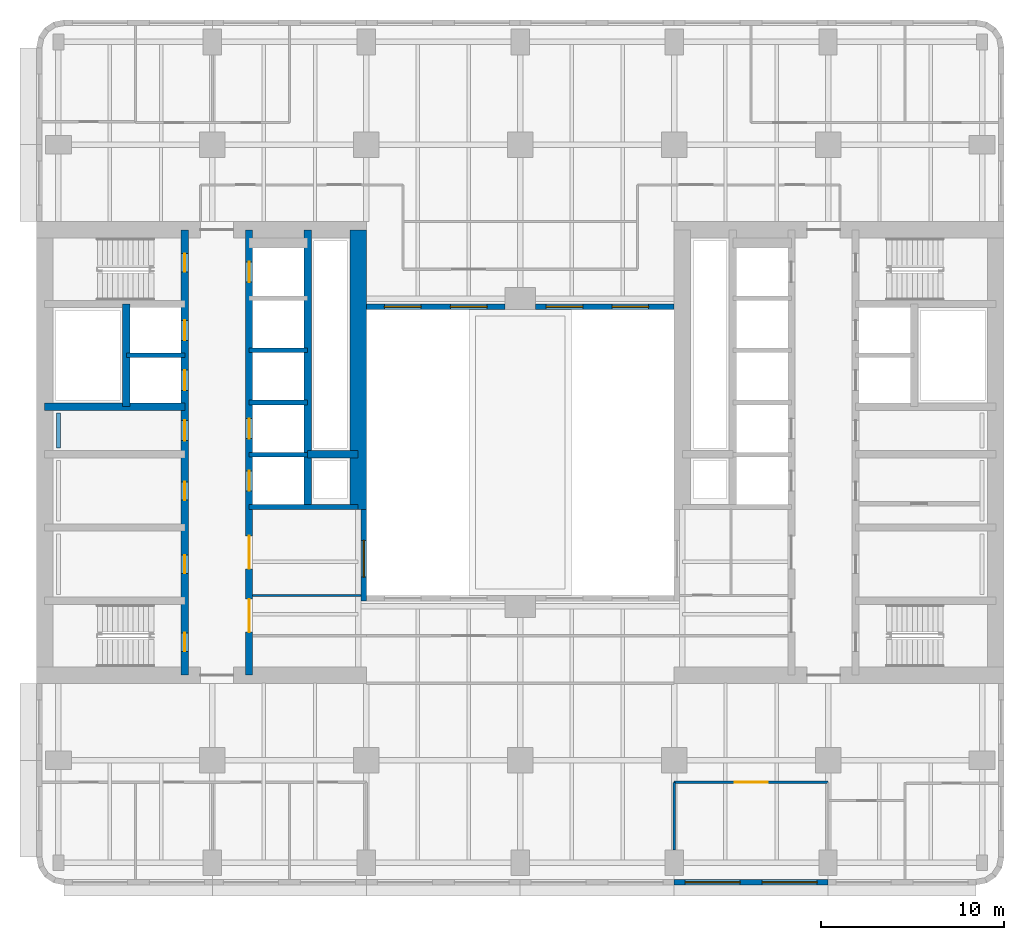
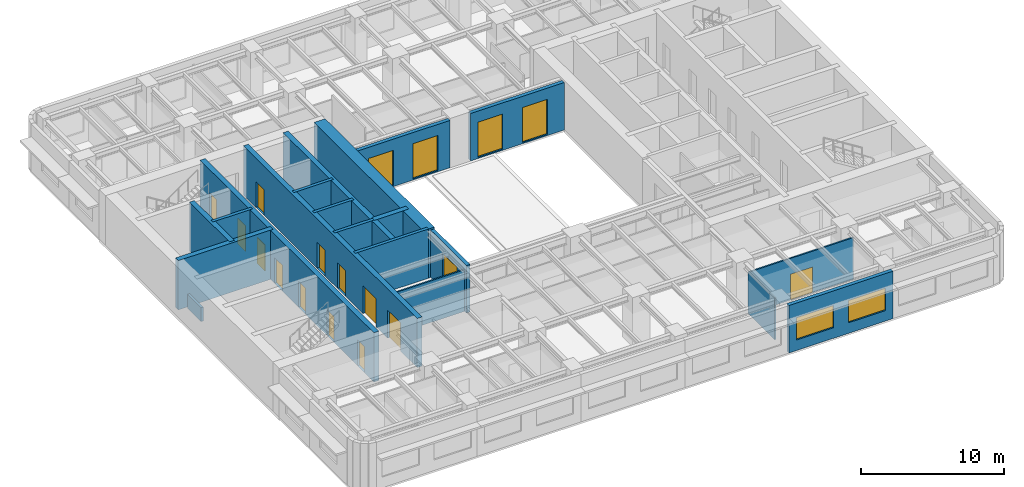
# One storey, part 4 of 14: 20 walls, 13 doors, 7 windows, 20 openings.
"""IFC4 building model written with IfcOpenShell, lengths in metres."""

import ifcopenshell
import ifcopenshell.guid

model = None  # the IFC model being written
_history = None  # IfcOwnerHistory: only IFC2X3 demands one
_inside = {}  # id of a spatial element -> (the spatial element, [elements in it])
_under = {}  # id of a project, library or spatial element -> (it, [spatial elements below it])
_declared = {}  # id of a project -> (the project, [libraries it declares])
_typed = {}  # id of a type object -> (the type object, [elements of that type])
_made_of = {}  # id of a material, layer set ... -> (it, [elements and type objects made of it])


def new_model(schema):
    """Start an empty IFC model of exactly this schema.

    Asked for "IFC4X3", IfcOpenShell would pick the latest addendum, in which some entities
    have other attributes; the version numbers below select the first issue.
    IFC2X3 requires an IfcOwnerHistory on every rooted entity: one is made here for all.
    """
    global model, _history
    if schema == "IFC4X3":
        model = ifcopenshell.file(schema_version=(4, 3, 0, 0))
    else:
        model = ifcopenshell.file(schema=schema)
    _inside.clear()
    _under.clear()
    _declared.clear()
    _typed.clear()
    _made_of.clear()
    _history = None
    if model.schema == "IFC2X3":
        org = make("IfcOrganization", Name="unknown")
        user = make(
            "IfcPersonAndOrganization",
            ThePerson=make("IfcPerson", FamilyName="unknown"),
            TheOrganization=org,
        )
        app = make(
            "IfcApplication",
            ApplicationDeveloper=org,
            Version="unknown",
            ApplicationFullName="unknown",
            ApplicationIdentifier="unknown",
        )
        _history = make(
            "IfcOwnerHistory",
            OwningUser=user,
            OwningApplication=app,
            ChangeAction="ADDED",
            CreationDate=0,
        )
    return model


def make(cls, **values):
    """One entity of the class cls with the attributes given. An attribute that is None is left unset."""
    return model.create_entity(
        cls, **{name: value for name, value in values.items() if value is not None}
    )


def rooted(cls, **values):
    """An entity with a GlobalId (a new one), such as an element, a storey or a relation."""
    return make(cls, GlobalId=ifcopenshell.guid.new(), OwnerHistory=_history, **values)


def si_unit(unit_type, name, prefix=None):
    """IfcSIUnit, for example si_unit("LENGTHUNIT", "METRE", prefix="MILLI")."""
    return make("IfcSIUnit", UnitType=unit_type, Prefix=prefix, Name=name)


def assignment(units):
    """IfcUnitAssignment: the units of a project."""
    return None if units is None else make("IfcUnitAssignment", Units=units)


def point(xyz):
    """IfcCartesianPoint."""
    return None if xyz is None else make("IfcCartesianPoint", Coordinates=xyz)


def direction(xyz):
    """IfcDirection."""
    return None if xyz is None else make("IfcDirection", DirectionRatios=xyz)


def frame(location, z_axis=None, x_axis=None):
    """IfcAxis2Placement3D, a coordinate frame: its origin and axes. An axis left out is left unset."""
    return make(
        "IfcAxis2Placement3D",
        Location=point(location),
        Axis=direction(z_axis),
        RefDirection=direction(x_axis),
    )


def frame_2d(location, x_axis=None):
    """IfcAxis2Placement2D, a coordinate frame in the plane: its origin and x axis."""
    return make(
        "IfcAxis2Placement2D", Location=point(location), RefDirection=direction(x_axis)
    )


def origin():
    """The frame at (0, 0, 0) with its axes left unset."""
    return frame((0.0, 0.0, 0.0))


def place(relative_to, where):
    """IfcLocalPlacement: puts the frame where relative to a parent placement (None: the world)."""
    return make(
        "IfcLocalPlacement", PlacementRelTo=relative_to, RelativePlacement=where
    )


def context(
    kind, dimensions, precision=None, world=None, true_north=None, identifier=None
):
    """IfcGeometricRepresentationContext, for example the 3D "Model" context."""
    return make(
        "IfcGeometricRepresentationContext",
        ContextIdentifier=identifier,
        ContextType=kind,
        CoordinateSpaceDimension=dimensions,
        Precision=precision,
        WorldCoordinateSystem=world,
        TrueNorth=true_north,
    )


def subcontext(parent, identifier, kind, view, scale=None):
    """IfcGeometricRepresentationSubContext, for example "Body" below "Model"."""
    return make(
        "IfcGeometricRepresentationSubContext",
        ContextIdentifier=identifier,
        ContextType=kind,
        ParentContext=parent,
        TargetScale=scale,
        TargetView=view,
    )


def project(units=None, contexts=None):
    """IfcProject with its units and contexts."""
    return rooted(
        "IfcProject",
        Name="project",
        RepresentationContexts=contexts,
        UnitsInContext=assignment(units),
    )


def spatial(cls, under=None, at=None, **own):
    """A site, building, storey or space (cls), placed at a placement, below another one or the project."""
    s = rooted(cls, ObjectPlacement=at, **own)
    if under is not None:
        _under.setdefault(under.id(), (under, []))[1].append(s)
    return s


def profile(cls, at=None, kind="AREA", **sizes):
    """A parametric profile (cls). Its sizes go by their IFC names, for example OverallWidth=200.0."""
    return make(cls, ProfileType=kind, Position=at, **sizes)


def rectangle(**sizes):
    """IfcRectangleProfileDef."""
    return profile("IfcRectangleProfileDef", **sizes)


def extrude(swept, where, along, depth):
    """IfcExtrudedAreaSolid: the profile swept, set in the frame where, extruded along a direction by depth."""
    return make(
        "IfcExtrudedAreaSolid",
        SweptArea=swept,
        Position=where,
        ExtrudedDirection=direction(along),
        Depth=depth,
    )


def shape(context_of_items, identifier, shape_type, items):
    """IfcShapeRepresentation: the items that make up one representation, for example the "Body"."""
    return make(
        "IfcShapeRepresentation",
        ContextOfItems=context_of_items,
        RepresentationIdentifier=identifier,
        RepresentationType=shape_type,
        Items=items,
    )


def material(Name=None, Category=None):
    """IfcMaterial."""
    return make("IfcMaterial", Name=Name, Category=Category)


def layer(
    of_material, thickness, ventilated=None, Name=None, Category=None, Priority=None
):
    """IfcMaterialLayer: one layer of a wall or slab, of a material (None: an air gap)."""
    return make(
        "IfcMaterialLayer",
        Material=of_material,
        LayerThickness=thickness,
        IsVentilated=ventilated,
        Name=Name,
        Category=Category,
        Priority=Priority,
    )


def layer_set(layers, Name=None):
    """IfcMaterialLayerSet."""
    return make("IfcMaterialLayerSet", MaterialLayers=layers, LayerSetName=Name)


def made_of(thing, what):
    """Note that an element or type object is made of a material, layer set ...; save() writes the relation."""
    if what is not None:
        _made_of.setdefault(what.id(), (what, []))[1].append(thing)
    return thing


def type_object(cls, material=None, **own):
    """A type object (cls), such as IfcWallType, which elements share."""
    return made_of(rooted(cls, **own), material)


def element(
    cls,
    number,
    at=None,
    inside=None,
    cuts=None,
    type_object=None,
    material=None,
    context=None,
    identifier="Body",
    shape_type=None,
    held_by="IfcProductDefinitionShape",
    body=None,
    shapes=None,
    **own,
):
    """One element of the class cls, such as IfcWall. Its Tag is "e" and its number.

    at: its placement. inside: the storey or other place that contains it. cuts: it is an
    opening in that element (IfcRelVoidsElement). A single representation is given by context,
    identifier, shape_type and body (its items); several are given by shapes. held_by: the class
    of the entity that holds the representations. save() writes the other relations.
    """
    e = rooted(cls, Tag="e%d" % number, ObjectPlacement=at, **own)
    if body is not None:
        shapes = [shape(context, identifier, shape_type, body)]
    if shapes is not None:
        e.Representation = make(held_by, Representations=shapes)
    if inside is not None:
        _inside.setdefault(inside.id(), (inside, []))[1].append(e)
    if cuts is not None:
        rooted(
            "IfcRelVoidsElement", RelatingBuildingElement=cuts, RelatedOpeningElement=e
        )
    if type_object is not None:
        _typed.setdefault(type_object.id(), (type_object, []))[1].append(e)
    return made_of(e, material)


def fill(opening, filler):
    """IfcRelFillsElement: the door or window that sits in an opening."""
    return rooted(
        "IfcRelFillsElement",
        RelatingOpeningElement=opening,
        RelatedBuildingElement=filler,
    )


def aggregate(whole, parts):
    """IfcRelAggregates: a whole, such as a stair, and the parts it consists of."""
    return rooted("IfcRelAggregates", RelatingObject=whole, RelatedObjects=parts)


def save(model, path):
    """Write the relations noted so far, then the file.

    IfcRelAggregates (storeys below a building ...), IfcRelContainedInSpatialStructure (elements
    in a storey), IfcRelDefinesByType, IfcRelAssociatesMaterial and IfcRelDeclares: one each for
    every whole, place, type object, material and project.
    """
    for whole, parts in _under.values():
        aggregate(whole, parts)
    for where, things in _inside.values():
        rooted(
            "IfcRelContainedInSpatialStructure",
            RelatedElements=things,
            RelatingStructure=where,
        )
    for kind, things in _typed.values():
        rooted("IfcRelDefinesByType", RelatedObjects=things, RelatingType=kind)
    for what, things in _made_of.values():
        rooted("IfcRelAssociatesMaterial", RelatedObjects=things, RelatingMaterial=what)
    for by, libraries in _declared.values():
        rooted("IfcRelDeclares", RelatingContext=by, RelatedDefinitions=libraries)
    model.write(path)


model = new_model("IFC4")

# Units and contexts
model_context = context("Model", 3, precision=1e-05, world=origin(), true_north=direction((0.0, 1.0)))
body_context = subcontext(model_context, "Body", "Model", "MODEL_VIEW")
ifc_project = project(units=[si_unit("LENGTHUNIT", "METRE"), si_unit("AREAUNIT", "SQUARE_METRE"), si_unit("VOLUMEUNIT", "CUBIC_METRE"), si_unit("PLANEANGLEUNIT", "RADIAN"), si_unit("MASSUNIT", "GRAM", prefix="KILO")], contexts=[model_context])

# Site, building, storey
site_placement = place(None, origin())
site = spatial("IfcSite", under=ifc_project, at=site_placement, CompositionType="ELEMENT")
building_placement = place(site_placement, origin())
building = spatial("IfcBuilding", under=site, at=building_placement, Name="Claustro Exchange Tower", CompositionType="ELEMENT")
storey_placement = place(building_placement, frame((0.0, 0.0, 100.800048828125)))
storey = spatial("IfcBuildingStorey", under=building, at=storey_placement, Name="L22", CompositionType="ELEMENT", Elevation=100.800048828125)

# Wall
ifc_material_1 = material(Name="Laminated glass in aluminium frame", Category="aluminium")
ifc_layer_1 = layer(ifc_material_1, 0.1201171875)
ifc_layer_set_1 = layer_set([ifc_layer_1], Name="Laminated glass in aluminium frame")
wall_type_1 = type_object("IfcWallType", Name="P2 120 glazed partition", PredefinedType="PARTITIONING", material=ifc_layer_set_1)
wall_1_placement = place(storey_placement, frame((10.597900390625, 17.39990234375, 0.0), z_axis=(0.0, 0.0, 1.0), x_axis=(1.0, 0.0, 0.0)))
element("IfcWall", 1, at=wall_1_placement, inside=storey, type_object=wall_type_1, Name="Partition P2 L22", PredefinedType="PARTITIONING", context=body_context, shape_type="SweptSolid", body=[
    extrude(rectangle(XDim=5.904052734375, YDim=0.1201171875, at=frame_2d((2.9521484375, 0.0))), origin(), (0.0, 0.0, 1.0), 3.550048828125),
])

# Wall, opening, door
wall_2_placement = place(storey_placement, frame((33.60009765625, 7.199951171875, 0.0), z_axis=(0.0, 0.0, 1.0), x_axis=(1.0, 0.0, 0.0)))
wall_2 = element("IfcWall", 2, at=wall_2_placement, inside=storey, type_object=wall_type_1, Name="Partition P2 L22", PredefinedType="PARTITIONING", context=body_context, shape_type="SweptSolid", body=[
    extrude(rectangle(XDim=8.39990234375, YDim=0.1201171875, at=frame_2d((4.199951171875, 0.0))), origin(), (0.0, 0.0, 1.0), 3.550048828125),
])
opening_1_placement = place(wall_2_placement, frame((3.300048828125, 0.0, 0.0)))
opening_1 = element("IfcOpeningElement", 3, at=opening_1_placement, cuts=wall_2, Name="Opening D2", PredefinedType="OPENING", context=body_context, shape_type="SweptSolid", body=[
    extrude(rectangle(XDim=1.800048828125, YDim=2.199951171875, at=frame_2d((0.89990234375, 1.10009765625))), frame((0.0, 0.070068359375, 0.0), z_axis=(0.0, -1.0, 0.0), x_axis=(1.0, 0.0, 0.0)), (0.0, 0.0, 1.0), 0.14013671875),
])
ifc_material_2 = material(Name="Timber door, oak veneer", Category="wood")
door_type_1 = type_object("IfcDoorType", Name="D2 1800 x 2200 double door", OperationType="DOUBLE_DOOR_SINGLE_SWING", PredefinedType="DOOR", material=ifc_material_2)
door_1_placement = place(opening_1_placement, frame((1.800048828125, 0.0, 0.0), z_axis=(0.0, 0.0, 1.0), x_axis=(-1.0, 0.0, 0.0)))
door_1 = element("IfcDoor", 4, at=door_1_placement, inside=storey, type_object=door_type_1, Name="Double door D2 L22", OperationType="DOUBLE_DOOR_SINGLE_SWING", OverallHeight=2.199951171875, OverallWidth=1.800048828125, PredefinedType="DOOR", context=body_context, shape_type="SweptSolid", body=[
    extrude(rectangle(XDim=1.800048828125, YDim=2.199951171875, at=frame_2d((0.89990234375, 1.10009765625))), frame((0.0, 0.02490234375, 0.0), z_axis=(0.0, -1.0, 0.0), x_axis=(1.0, 0.0, 0.0)), (0.0, 0.0, 1.0), 0.050048828125),
])
fill(opening_1, door_1)

# Wall
wall_3_placement = place(storey_placement, frame((33.60009765625, 3.4990234375, 0.0), z_axis=(0.0, 0.0, 1.0), x_axis=(0.0, 1.0, 0.0)))
element("IfcWall", 5, at=wall_3_placement, inside=storey, type_object=wall_type_1, Name="Partition P2 L22", PredefinedType="PARTITIONING", context=body_context, shape_type="SweptSolid", body=[
    extrude(rectangle(XDim=3.700927734375, YDim=0.1201171875, at=frame_2d((1.8505859375, 0.0))), origin(), (0.0, 0.0, 1.0), 3.550048828125),
])

# Wall, openings, windows
ifc_material_3 = material(Name="Concrete HA-40 (C40/50), precast, white cement, acid-etched", Category="concrete")
ifc_layer_2 = layer(ifc_material_3, 0.300048828125)
ifc_layer_set_2 = layer_set([ifc_layer_2], Name="Concrete HA-40 (C40/50), precast, white cement, acid-etched")
wall_type_2 = type_object("IfcWallType", Name="PC1 300 precast concrete pier panel", PredefinedType="SOLIDWALL", material=ifc_layer_set_2)
wall_4_placement = place(storey_placement, frame((42.0, 1.75, 0.0), z_axis=(0.0, 0.0, 1.0), x_axis=(-1.0, 0.0, 0.0)))
wall_4 = element("IfcWall", 6, at=wall_4_placement, inside=storey, type_object=wall_type_2, Name="Precast pier panel PC1 L22", PredefinedType="SOLIDWALL", context=body_context, shape_type="SweptSolid", body=[
    extrude(rectangle(XDim=8.39990234375, YDim=0.300048828125, at=frame_2d((4.199951171875, 0.0))), origin(), (0.0, 0.0, 1.0), 4.050048828125),
])
opening_2_placement = place(wall_4_placement, frame((0.60009765625, 0.0, 0.89990234375)))
opening_2 = element("IfcOpeningElement", 7, at=opening_2_placement, cuts=wall_4, Name="Opening W1", PredefinedType="OPENING", context=body_context, shape_type="SweptSolid", body=[
    extrude(rectangle(XDim=3.0, YDim=1.89990234375, at=frame_2d((1.5, 0.949951171875))), frame((0.0, 0.159912109375, 0.0), z_axis=(0.0, -1.0, 0.0), x_axis=(1.0, 0.0, 0.0)), (0.0, 0.0, 1.0), 0.320068359375),
])
opening_3_placement = place(wall_4_placement, frame((4.800048828125, 0.0, 0.89990234375)))
opening_3 = element("IfcOpeningElement", 8, at=opening_3_placement, cuts=wall_4, Name="Opening W1", PredefinedType="OPENING", context=body_context, shape_type="SweptSolid", body=[
    extrude(rectangle(XDim=3.0, YDim=1.89990234375, at=frame_2d((1.5, 0.949951171875))), frame((0.0, 0.159912109375, 0.0), z_axis=(0.0, -1.0, 0.0), x_axis=(1.0, 0.0, 0.0)), (0.0, 0.0, 1.0), 0.320068359375),
])
ifc_material_4 = material(Name="Aluminium frame, clear double glazing", Category="aluminium")
window_type_1 = type_object("IfcWindowType", Name="W1 3000 x 1900 window", PartitioningType="SINGLE_PANEL", PredefinedType="WINDOW", material=ifc_material_4)
window_1_placement = place(opening_2_placement, origin())
window_1 = element("IfcWindow", 9, at=window_1_placement, inside=storey, type_object=window_type_1, Name="Window W1 L22", OverallHeight=1.89990234375, OverallWidth=3.0, PartitioningType="SINGLE_PANEL", PredefinedType="WINDOW", context=body_context, shape_type="SweptSolid", body=[
    extrude(rectangle(XDim=3.0, YDim=1.89990234375, at=frame_2d((1.5, 0.949951171875))), frame((0.0, 0.030029296875, 0.0), z_axis=(0.0, -1.0, 0.0), x_axis=(1.0, 0.0, 0.0)), (0.0, 0.0, 1.0), 0.06005859375),
])
fill(opening_2, window_1)
window_2_placement = place(opening_3_placement, origin())
window_2 = element("IfcWindow", 10, at=window_2_placement, inside=storey, type_object=window_type_1, Name="Window W1 L22", OverallHeight=1.89990234375, OverallWidth=3.0, PartitioningType="SINGLE_PANEL", PredefinedType="WINDOW", context=body_context, shape_type="SweptSolid", body=[
    extrude(rectangle(XDim=3.0, YDim=1.89990234375, at=frame_2d((1.5, 0.949951171875))), frame((0.0, 0.030029296875, 0.0), z_axis=(0.0, -1.0, 0.0), x_axis=(1.0, 0.0, 0.0)), (0.0, 0.0, 1.0), 0.06005859375),
])
fill(opening_3, window_2)

# Wall, opening, window
wall_5_placement = place(storey_placement, frame((16.64990234375, 17.10009765625, 0.0), z_axis=(0.0, 0.0, 1.0), x_axis=(0.0, 1.0, 0.0)))
wall_5 = element("IfcWall", 11, at=wall_5_placement, inside=storey, type_object=wall_type_2, Name="Precast pier panel PC1 L22", PredefinedType="SOLIDWALL", context=body_context, shape_type="SweptSolid", body=[
    extrude(rectangle(XDim=5.0, YDim=0.300048828125, at=frame_2d((2.5, 0.0))), origin(), (0.0, 0.0, 1.0), 4.050048828125),
])
opening_4_placement = place(wall_5_placement, frame((1.300048828125, 0.0, 0.10009765625)))
opening_4 = element("IfcOpeningElement", 12, at=opening_4_placement, cuts=wall_5, Name="Opening W-A", PredefinedType="OPENING", context=body_context, shape_type="SweptSolid", body=[
    extrude(rectangle(XDim=2.0, YDim=3.0, at=frame_2d((1.0, 1.5))), frame((0.0, 0.159912109375, 0.0), z_axis=(0.0, -1.0, 0.0), x_axis=(1.0, 0.0, 0.0)), (0.0, 0.0, 1.0), 0.320068359375),
])
ifc_material_5 = material(Name="Aluminium frame, clear double glazing", Category="aluminium")
window_type_2 = type_object("IfcWindowType", Name="W-A 2000 x 3000 arcade window", PartitioningType="SINGLE_PANEL", PredefinedType="WINDOW", material=ifc_material_5)
window_3_placement = place(opening_4_placement, origin())
window_3 = element("IfcWindow", 13, at=window_3_placement, inside=storey, type_object=window_type_2, Name="Window W-A L22", OverallHeight=3.0, OverallWidth=2.0, PartitioningType="SINGLE_PANEL", PredefinedType="WINDOW", context=body_context, shape_type="SweptSolid", body=[
    extrude(rectangle(XDim=2.0, YDim=3.0, at=frame_2d((1.0, 1.5))), frame((0.0, 0.030029296875, 0.0), z_axis=(0.0, -1.0, 0.0), x_axis=(1.0, 0.0, 0.0)), (0.0, 0.0, 1.0), 0.06005859375),
])
fill(opening_4, window_3)

# Wall, openings, windows
wall_6_placement = place(storey_placement, frame((16.800048828125, 33.14990234375, 0.0), z_axis=(0.0, 0.0, 1.0), x_axis=(1.0, 0.0, 0.0)))
wall_6 = element("IfcWall", 14, at=wall_6_placement, inside=storey, type_object=wall_type_2, Name="Precast pier panel PC1 L22", PredefinedType="SOLIDWALL", context=body_context, shape_type="SweptSolid", body=[
    extrude(rectangle(XDim=7.574951171875, YDim=0.300048828125, at=frame_2d((3.78759765625, 0.0))), origin(), (0.0, 0.0, 1.0), 4.050048828125),
])
opening_5_placement = place(wall_6_placement, frame((0.987548828125, 0.0, 0.10009765625)))
opening_5 = element("IfcOpeningElement", 15, at=opening_5_placement, cuts=wall_6, Name="Opening W-A", PredefinedType="OPENING", context=body_context, shape_type="SweptSolid", body=[
    extrude(rectangle(XDim=2.0, YDim=3.0, at=frame_2d((1.0, 1.5))), frame((0.0, 0.159912109375, 0.0), z_axis=(0.0, -1.0, 0.0), x_axis=(1.0, 0.0, 0.0)), (0.0, 0.0, 1.0), 0.320068359375),
])
opening_6_placement = place(wall_6_placement, frame((4.58740234375, 0.0, 0.10009765625)))
opening_6 = element("IfcOpeningElement", 16, at=opening_6_placement, cuts=wall_6, Name="Opening W-A", PredefinedType="OPENING", context=body_context, shape_type="SweptSolid", body=[
    extrude(rectangle(XDim=2.0, YDim=3.0, at=frame_2d((1.0, 1.5))), frame((0.0, 0.159912109375, 0.0), z_axis=(0.0, -1.0, 0.0), x_axis=(1.0, 0.0, 0.0)), (0.0, 0.0, 1.0), 0.320068359375),
])
window_4_placement = place(opening_5_placement, origin())
window_4 = element("IfcWindow", 17, at=window_4_placement, inside=storey, type_object=window_type_2, Name="Window W-A L22", OverallHeight=3.0, OverallWidth=2.0, PartitioningType="SINGLE_PANEL", PredefinedType="WINDOW", context=body_context, shape_type="SweptSolid", body=[
    extrude(rectangle(XDim=2.0, YDim=3.0, at=frame_2d((1.0, 1.5))), frame((0.0, 0.030029296875, 0.0), z_axis=(0.0, -1.0, 0.0), x_axis=(1.0, 0.0, 0.0)), (0.0, 0.0, 1.0), 0.06005859375),
])
fill(opening_5, window_4)
window_5_placement = place(opening_6_placement, origin())
window_5 = element("IfcWindow", 18, at=window_5_placement, inside=storey, type_object=window_type_2, Name="Window W-A L22", OverallHeight=3.0, OverallWidth=2.0, PartitioningType="SINGLE_PANEL", PredefinedType="WINDOW", context=body_context, shape_type="SweptSolid", body=[
    extrude(rectangle(XDim=2.0, YDim=3.0, at=frame_2d((1.0, 1.5))), frame((0.0, 0.030029296875, 0.0), z_axis=(0.0, -1.0, 0.0), x_axis=(1.0, 0.0, 0.0)), (0.0, 0.0, 1.0), 0.06005859375),
])
fill(opening_6, window_5)

wall_7_placement = place(storey_placement, frame((26.02490234375, 33.14990234375, 0.0), z_axis=(0.0, 0.0, 1.0), x_axis=(1.0, 0.0, 0.0)))
wall_7 = element("IfcWall", 19, at=wall_7_placement, inside=storey, type_object=wall_type_2, Name="Precast pier panel PC1 L22", PredefinedType="SOLIDWALL", context=body_context, shape_type="SweptSolid", body=[
    extrude(rectangle(XDim=7.5751953125, YDim=0.300048828125, at=frame_2d((3.78759765625, 0.0))), origin(), (0.0, 0.0, 1.0), 4.050048828125),
])
opening_7_placement = place(wall_7_placement, frame((0.58740234375, 0.0, 0.10009765625)))
opening_7 = element("IfcOpeningElement", 20, at=opening_7_placement, cuts=wall_7, Name="Opening W-A", PredefinedType="OPENING", context=body_context, shape_type="SweptSolid", body=[
    extrude(rectangle(XDim=2.0, YDim=3.0, at=frame_2d((1.0, 1.5))), frame((0.0, 0.159912109375, 0.0), z_axis=(0.0, -1.0, 0.0), x_axis=(1.0, 0.0, 0.0)), (0.0, 0.0, 1.0), 0.320068359375),
])
opening_8_placement = place(wall_7_placement, frame((4.1875, 0.0, 0.10009765625)))
opening_8 = element("IfcOpeningElement", 21, at=opening_8_placement, cuts=wall_7, Name="Opening W-A", PredefinedType="OPENING", context=body_context, shape_type="SweptSolid", body=[
    extrude(rectangle(XDim=2.0, YDim=3.0, at=frame_2d((1.0, 1.5))), frame((0.0, 0.159912109375, 0.0), z_axis=(0.0, -1.0, 0.0), x_axis=(1.0, 0.0, 0.0)), (0.0, 0.0, 1.0), 0.320068359375),
])
window_6_placement = place(opening_7_placement, origin())
window_6 = element("IfcWindow", 22, at=window_6_placement, inside=storey, type_object=window_type_2, Name="Window W-A L22", OverallHeight=3.0, OverallWidth=2.0, PartitioningType="SINGLE_PANEL", PredefinedType="WINDOW", context=body_context, shape_type="SweptSolid", body=[
    extrude(rectangle(XDim=2.0, YDim=3.0, at=frame_2d((1.0, 1.5))), frame((0.0, 0.030029296875, 0.0), z_axis=(0.0, -1.0, 0.0), x_axis=(1.0, 0.0, 0.0)), (0.0, 0.0, 1.0), 0.06005859375),
])
fill(opening_7, window_6)
window_7_placement = place(opening_8_placement, origin())
window_7 = element("IfcWindow", 23, at=window_7_placement, inside=storey, type_object=window_type_2, Name="Window W-A L22", OverallHeight=3.0, OverallWidth=2.0, PartitioningType="SINGLE_PANEL", PredefinedType="WINDOW", context=body_context, shape_type="SweptSolid", body=[
    extrude(rectangle(XDim=2.0, YDim=3.0, at=frame_2d((1.0, 1.5))), frame((0.0, 0.030029296875, 0.0), z_axis=(0.0, -1.0, 0.0), x_axis=(1.0, 0.0, 0.0)), (0.0, 0.0, 1.0), 0.06005859375),
])
fill(opening_8, window_7)

# Walls
ifc_material_6 = material(Name="Gypsum board on steel studs, tiled", Category="steel")
ifc_layer_3 = layer(ifc_material_6, 0.199951171875)
ifc_layer_set_3 = layer_set([ifc_layer_3], Name="Gypsum board on steel studs, tiled")
wall_type_3 = type_object("IfcWallType", Name="PW1 200 WC duct wall", PredefinedType="PLUMBINGWALL", material=ifc_layer_set_3)
wall_8_placement = place(storey_placement, frame((0.0, 25.449951171875, 0.0), z_axis=(0.0, 0.0, 1.0), x_axis=(0.0, 1.0, 0.0)))
element("IfcWall", 24, at=wall_8_placement, inside=storey, type_object=wall_type_3, Name="WC duct wall PW1 L22", PredefinedType="PLUMBINGWALL", context=body_context, shape_type="SweptSolid", body=[
    extrude(rectangle(XDim=1.900146484375, YDim=0.199951171875, at=frame_2d((0.9501953125, 0.0))), origin(), (0.0, 0.0, 1.0), 1.199951171875),
])
ifc_material_7 = material(Name="Concrete HA-70 (C70/85)", Category="concrete")
ifc_layer_4 = layer(ifc_material_7, 0.89990234375)
ifc_layer_set_4 = layer_set([ifc_layer_4], Name="Concrete HA-70 (C70/85)")
wall_type_4 = type_object("IfcWallType", Name="SW1X 900 exposed core shear wall, board-marked face", PredefinedType="SHEAR", material=ifc_layer_set_4)
wall_9_placement = place(storey_placement, frame((16.35009765625, 22.10009765625, 0.0), z_axis=(0.0, 0.0, 1.0), x_axis=(0.0, 1.0, 0.0)))
element("IfcWall", 25, at=wall_9_placement, inside=storey, type_object=wall_type_4, Name="Core wall SW1X W core E face L22", PredefinedType="SHEAR", context=body_context, shape_type="SweptSolid", body=[
    extrude(rectangle(XDim=15.25, YDim=0.89990234375, at=frame_2d((7.625, 0.0))), origin(), (0.0, 0.0, 1.0), 4.199951171875),
])

# Wall, openings, doors
ifc_material_8 = material(Name="Concrete HA-50 (C50/60)", Category="concrete")
ifc_layer_5 = layer(ifc_material_8, 0.39990234375)
ifc_layer_set_5 = layer_set([ifc_layer_5], Name="Concrete HA-50 (C50/60)")
wall_type_5 = type_object("IfcWallType", Name="SW4 400 internal core wall", PredefinedType="SHEAR", material=ifc_layer_set_5)
wall_10_placement = place(storey_placement, frame((6.89990234375, 13.050048828125, 0.0), z_axis=(0.0, 0.0, 1.0), x_axis=(0.0, 1.0, 0.0)))
wall_10 = element("IfcWall", 26, at=wall_10_placement, inside=storey, type_object=wall_type_5, Name="Internal core wall SW4 W core L22", PredefinedType="SHEAR", context=body_context, shape_type="SweptSolid", body=[
    extrude(rectangle(XDim=24.300048828125, YDim=0.39990234375, at=frame_2d((12.14990234375, 0.0))), origin(), (0.0, 0.0, 1.0), 4.199951171875),
])
opening_9_placement = place(wall_10_placement, frame((1.300048828125, 0.0, 0.0)))
opening_9 = element("IfcOpeningElement", 27, at=opening_9_placement, cuts=wall_10, Name="Opening D4", PredefinedType="OPENING", context=body_context, shape_type="SweptSolid", body=[
    extrude(rectangle(XDim=1.0, YDim=2.199951171875, at=frame_2d((0.5, 1.10009765625))), frame((0.0, 0.2099609375, 0.0), z_axis=(0.0, -1.0, 0.0), x_axis=(1.0, 0.0, 0.0)), (0.0, 0.0, 1.0), 0.419921875),
])
opening_10_placement = place(wall_10_placement, frame((22.0, 0.0, 0.0)))
opening_10 = element("IfcOpeningElement", 28, at=opening_10_placement, cuts=wall_10, Name="Opening D4", PredefinedType="OPENING", context=body_context, shape_type="SweptSolid", body=[
    extrude(rectangle(XDim=1.0, YDim=2.199951171875, at=frame_2d((0.5, 1.10009765625))), frame((0.0, 0.2099609375, 0.0), z_axis=(0.0, -1.0, 0.0), x_axis=(1.0, 0.0, 0.0)), (0.0, 0.0, 1.0), 0.419921875),
])
opening_11_placement = place(wall_10_placement, frame((5.550048828125, 0.0, 0.0)))
opening_11 = element("IfcOpeningElement", 29, at=opening_11_placement, cuts=wall_10, Name="Opening D1", PredefinedType="OPENING", context=body_context, shape_type="SweptSolid", body=[
    extrude(rectangle(XDim=1.0, YDim=2.199951171875, at=frame_2d((0.5, 1.10009765625))), frame((0.0, 0.2099609375, 0.0), z_axis=(0.0, -1.0, 0.0), x_axis=(1.0, 0.0, 0.0)), (0.0, 0.0, 1.0), 0.419921875),
])
opening_12_placement = place(wall_10_placement, frame((9.550048828125, 0.0, 0.0)))
opening_12 = element("IfcOpeningElement", 30, at=opening_12_placement, cuts=wall_10, Name="Opening D1", PredefinedType="OPENING", context=body_context, shape_type="SweptSolid", body=[
    extrude(rectangle(XDim=1.0, YDim=2.199951171875, at=frame_2d((0.5, 1.10009765625))), frame((0.0, 0.2099609375, 0.0), z_axis=(0.0, -1.0, 0.0), x_axis=(1.0, 0.0, 0.0)), (0.0, 0.0, 1.0), 0.419921875),
])
opening_13_placement = place(wall_10_placement, frame((12.800048828125, 0.0, 0.0)))
opening_13 = element("IfcOpeningElement", 31, at=opening_13_placement, cuts=wall_10, Name="Opening D10", PredefinedType="OPENING", context=body_context, shape_type="SweptSolid", body=[
    extrude(rectangle(XDim=1.10009765625, YDim=2.199951171875, at=frame_2d((0.550048828125, 1.10009765625))), frame((0.0, 0.2099609375, 0.0), z_axis=(0.0, -1.0, 0.0), x_axis=(1.0, 0.0, 0.0)), (0.0, 0.0, 1.0), 0.419921875),
])
opening_14_placement = place(wall_10_placement, frame((15.53759765625, 0.0, 0.0)))
opening_14 = element("IfcOpeningElement", 32, at=opening_14_placement, cuts=wall_10, Name="Opening LD", PredefinedType="OPENING", context=body_context, shape_type="SweptSolid", body=[
    extrude(rectangle(XDim=1.10009765625, YDim=2.199951171875, at=frame_2d((0.550048828125, 1.10009765625))), frame((0.0, 0.2099609375, 0.0), z_axis=(0.0, -1.0, 0.0), x_axis=(1.0, 0.0, 0.0)), (0.0, 0.0, 1.0), 0.419921875),
])
opening_15_placement = place(wall_10_placement, frame((18.262451171875, 0.0, 0.0)))
opening_15 = element("IfcOpeningElement", 33, at=opening_15_placement, cuts=wall_10, Name="Opening LD", PredefinedType="OPENING", context=body_context, shape_type="SweptSolid", body=[
    extrude(rectangle(XDim=1.10009765625, YDim=2.199951171875, at=frame_2d((0.550048828125, 1.10009765625))), frame((0.0, 0.2099609375, 0.0), z_axis=(0.0, -1.0, 0.0), x_axis=(1.0, 0.0, 0.0)), (0.0, 0.0, 1.0), 0.419921875),
])
ifc_material_9 = material(Name="Timber door, oak veneer", Category="wood")
door_type_2 = type_object("IfcDoorType", Name="D1 1000 x 2200 single door", OperationType="SINGLE_SWING_LEFT", PredefinedType="DOOR", material=ifc_material_9)
door_2_placement = place(opening_11_placement, origin())
door_2 = element("IfcDoor", 34, at=door_2_placement, inside=storey, type_object=door_type_2, Name="Door D1 L22", OperationType="SINGLE_SWING_RIGHT", OverallHeight=2.199951171875, OverallWidth=1.0, PredefinedType="DOOR", context=body_context, shape_type="SweptSolid", body=[
    extrude(rectangle(XDim=1.0, YDim=2.199951171875, at=frame_2d((0.5, 1.10009765625))), frame((0.0, 0.02490234375, 0.0), z_axis=(0.0, -1.0, 0.0), x_axis=(1.0, 0.0, 0.0)), (0.0, 0.0, 1.0), 0.050048828125),
])
fill(opening_11, door_2)
door_3_placement = place(opening_12_placement, origin())
door_3 = element("IfcDoor", 35, at=door_3_placement, inside=storey, type_object=door_type_2, Name="Door D1 L22", OperationType="SINGLE_SWING_RIGHT", OverallHeight=2.199951171875, OverallWidth=1.0, PredefinedType="DOOR", context=body_context, shape_type="SweptSolid", body=[
    extrude(rectangle(XDim=1.0, YDim=2.199951171875, at=frame_2d((0.5, 1.10009765625))), frame((0.0, 0.02490234375, 0.0), z_axis=(0.0, -1.0, 0.0), x_axis=(1.0, 0.0, 0.0)), (0.0, 0.0, 1.0), 0.050048828125),
])
fill(opening_12, door_3)
ifc_material_10 = material(Name="Timber door, oak veneer", Category="wood")
door_type_3 = type_object("IfcDoorType", Name="D10 1100 x 2200 accessible WC door", OperationType="SINGLE_SWING_LEFT", PredefinedType="DOOR", material=ifc_material_10)
door_4_placement = place(opening_13_placement, frame((1.10009765625, 0.0, 0.0), z_axis=(0.0, 0.0, 1.0), x_axis=(-1.0, 0.0, 0.0)))
door_4 = element("IfcDoor", 36, at=door_4_placement, inside=storey, type_object=door_type_3, Name="Accessible WC door D10 L22", OperationType="SINGLE_SWING_LEFT", OverallHeight=2.199951171875, OverallWidth=1.10009765625, PredefinedType="DOOR", context=body_context, shape_type="SweptSolid", body=[
    extrude(rectangle(XDim=1.10009765625, YDim=2.199951171875, at=frame_2d((0.550048828125, 1.10009765625))), frame((0.0, 0.02490234375, 0.0), z_axis=(0.0, -1.0, 0.0), x_axis=(1.0, 0.0, 0.0)), (0.0, 0.0, 1.0), 0.050048828125),
])
fill(opening_13, door_4)
ifc_material_11 = material(Name="Steel fire door, painted", Category="steel")
door_type_4 = type_object("IfcDoorType", Name="D4 1000 x 2200 fire-rated stair door", OperationType="SINGLE_SWING_LEFT", PredefinedType="DOOR", material=ifc_material_11)
door_5_placement = place(opening_9_placement, origin())
door_5 = element("IfcDoor", 37, at=door_5_placement, inside=storey, type_object=door_type_4, Name="Stair door D4 L22", OperationType="SINGLE_SWING_LEFT", OverallHeight=2.199951171875, OverallWidth=1.0, PredefinedType="DOOR", context=body_context, shape_type="SweptSolid", body=[
    extrude(rectangle(XDim=1.0, YDim=2.199951171875, at=frame_2d((0.5, 1.10009765625))), frame((0.0, 0.02490234375, 0.0), z_axis=(0.0, -1.0, 0.0), x_axis=(1.0, 0.0, 0.0)), (0.0, 0.0, 1.0), 0.050048828125),
])
fill(opening_9, door_5)
door_6_placement = place(opening_10_placement, origin())
door_6 = element("IfcDoor", 38, at=door_6_placement, inside=storey, type_object=door_type_4, Name="Stair door D4 L22", OperationType="SINGLE_SWING_RIGHT", OverallHeight=2.199951171875, OverallWidth=1.0, PredefinedType="DOOR", context=body_context, shape_type="SweptSolid", body=[
    extrude(rectangle(XDim=1.0, YDim=2.199951171875, at=frame_2d((0.5, 1.10009765625))), frame((0.0, 0.02490234375, 0.0), z_axis=(0.0, -1.0, 0.0), x_axis=(1.0, 0.0, 0.0)), (0.0, 0.0, 1.0), 0.050048828125),
])
fill(opening_10, door_6)
ifc_material_12 = material(Name="Stainless steel sliding door", Category="steel")
door_type_5 = type_object("IfcDoorType", Name="LD 1100 x 2200 lift landing door", OperationType="DOUBLE_DOOR_SLIDING", PredefinedType="DOOR", material=ifc_material_12)
door_7_placement = place(opening_14_placement, origin())
door_7 = element("IfcDoor", 39, at=door_7_placement, inside=storey, type_object=door_type_5, Name="Lift landing door LEW1 LD L22", OperationType="DOUBLE_DOOR_SLIDING", OverallHeight=2.199951171875, OverallWidth=1.10009765625, PredefinedType="DOOR", context=body_context, shape_type="SweptSolid", body=[
    extrude(rectangle(XDim=1.10009765625, YDim=2.199951171875, at=frame_2d((0.550048828125, 1.10009765625))), frame((0.0, 0.02490234375, 0.0), z_axis=(0.0, -1.0, 0.0), x_axis=(1.0, 0.0, 0.0)), (0.0, 0.0, 1.0), 0.050048828125),
])
fill(opening_14, door_7)
door_8_placement = place(opening_15_placement, origin())
door_8 = element("IfcDoor", 40, at=door_8_placement, inside=storey, type_object=door_type_5, Name="Lift landing door LEW2 LD L22", OperationType="DOUBLE_DOOR_SLIDING", OverallHeight=2.199951171875, OverallWidth=1.10009765625, PredefinedType="DOOR", context=body_context, shape_type="SweptSolid", body=[
    extrude(rectangle(XDim=1.10009765625, YDim=2.199951171875, at=frame_2d((0.550048828125, 1.10009765625))), frame((0.0, 0.02490234375, 0.0), z_axis=(0.0, -1.0, 0.0), x_axis=(1.0, 0.0, 0.0)), (0.0, 0.0, 1.0), 0.050048828125),
])
fill(opening_15, door_8)

wall_11_placement = place(storey_placement, frame((10.39990234375, 13.050048828125, 0.0), z_axis=(0.0, 0.0, 1.0), x_axis=(0.0, 1.0, 0.0)))
wall_11 = element("IfcWall", 41, at=wall_11_placement, inside=storey, type_object=wall_type_5, Name="Internal core wall SW4 W core L22", PredefinedType="SHEAR", context=body_context, shape_type="SweptSolid", body=[
    extrude(rectangle(XDim=24.300048828125, YDim=0.39990234375, at=frame_2d((12.14990234375, 0.0))), origin(), (0.0, 0.0, 1.0), 4.199951171875),
])
opening_16_placement = place(wall_11_placement, frame((10.050048828125, 0.0, 0.0)))
opening_16 = element("IfcOpeningElement", 42, at=opening_16_placement, cuts=wall_11, Name="Opening LD", PredefinedType="OPENING", context=body_context, shape_type="SweptSolid", body=[
    extrude(rectangle(XDim=1.10009765625, YDim=2.199951171875, at=frame_2d((0.550048828125, 1.10009765625))), frame((0.0, 0.2099609375, 0.0), z_axis=(0.0, -1.0, 0.0), x_axis=(1.0, 0.0, 0.0)), (0.0, 0.0, 1.0), 0.419921875),
])
opening_17_placement = place(wall_11_placement, frame((12.89990234375, 0.0, 0.0)))
opening_17 = element("IfcOpeningElement", 43, at=opening_17_placement, cuts=wall_11, Name="Opening LD", PredefinedType="OPENING", context=body_context, shape_type="SweptSolid", body=[
    extrude(rectangle(XDim=1.10009765625, YDim=2.199951171875, at=frame_2d((0.550048828125, 1.10009765625))), frame((0.0, 0.2099609375, 0.0), z_axis=(0.0, -1.0, 0.0), x_axis=(1.0, 0.0, 0.0)), (0.0, 0.0, 1.0), 0.419921875),
])
opening_18_placement = place(wall_11_placement, frame((21.449951171875, 0.0, 0.0)))
opening_18 = element("IfcOpeningElement", 44, at=opening_18_placement, cuts=wall_11, Name="Opening LD", PredefinedType="OPENING", context=body_context, shape_type="SweptSolid", body=[
    extrude(rectangle(XDim=1.10009765625, YDim=2.199951171875, at=frame_2d((0.550048828125, 1.10009765625))), frame((0.0, 0.2099609375, 0.0), z_axis=(0.0, -1.0, 0.0), x_axis=(1.0, 0.0, 0.0)), (0.0, 0.0, 1.0), 0.419921875),
])
opening_19_placement = place(wall_11_placement, frame((2.35009765625, 0.0, 0.0)))
opening_19 = element("IfcOpeningElement", 45, at=opening_19_placement, cuts=wall_11, Name="Opening D3", PredefinedType="OPENING", context=body_context, shape_type="SweptSolid", body=[
    extrude(rectangle(XDim=1.800048828125, YDim=2.39990234375, at=frame_2d((0.89990234375, 1.199951171875))), frame((0.0, 0.2099609375, 0.0), z_axis=(0.0, -1.0, 0.0), x_axis=(1.0, 0.0, 0.0)), (0.0, 0.0, 1.0), 0.419921875),
])
opening_20_placement = place(wall_11_placement, frame((5.800048828125, 0.0, 0.0)))
opening_20 = element("IfcOpeningElement", 46, at=opening_20_placement, cuts=wall_11, Name="Opening D3", PredefinedType="OPENING", context=body_context, shape_type="SweptSolid", body=[
    extrude(rectangle(XDim=1.800048828125, YDim=2.39990234375, at=frame_2d((0.89990234375, 1.199951171875))), frame((0.0, 0.2099609375, 0.0), z_axis=(0.0, -1.0, 0.0), x_axis=(1.0, 0.0, 0.0)), (0.0, 0.0, 1.0), 0.419921875),
])
ifc_material_13 = material(Name="Steel fire door, painted", Category="steel")
door_type_6 = type_object("IfcDoorType", Name="D3 1800 x 2400 fire-rated lobby double door", OperationType="DOUBLE_DOOR_SINGLE_SWING", PredefinedType="DOOR", material=ifc_material_13)
door_9_placement = place(opening_19_placement, origin())
door_9 = element("IfcDoor", 47, at=door_9_placement, inside=storey, type_object=door_type_6, Name="Core zone door D3 L22", OperationType="DOUBLE_DOOR_SINGLE_SWING", OverallHeight=2.39990234375, OverallWidth=1.800048828125, PredefinedType="DOOR", context=body_context, shape_type="SweptSolid", body=[
    extrude(rectangle(XDim=1.800048828125, YDim=2.39990234375, at=frame_2d((0.89990234375, 1.199951171875))), frame((0.0, 0.02490234375, 0.0), z_axis=(0.0, -1.0, 0.0), x_axis=(1.0, 0.0, 0.0)), (0.0, 0.0, 1.0), 0.050048828125),
])
fill(opening_19, door_9)
door_10_placement = place(opening_20_placement, frame((1.800048828125, 0.0, 0.0), z_axis=(0.0, 0.0, 1.0), x_axis=(-1.0, 0.0, 0.0)))
door_10 = element("IfcDoor", 48, at=door_10_placement, inside=storey, type_object=door_type_6, Name="Core zone door D3 L22", OperationType="DOUBLE_DOOR_SINGLE_SWING", OverallHeight=2.39990234375, OverallWidth=1.800048828125, PredefinedType="DOOR", context=body_context, shape_type="SweptSolid", body=[
    extrude(rectangle(XDim=1.800048828125, YDim=2.39990234375, at=frame_2d((0.89990234375, 1.199951171875))), frame((0.0, 0.02490234375, 0.0), z_axis=(0.0, -1.0, 0.0), x_axis=(1.0, 0.0, 0.0)), (0.0, 0.0, 1.0), 0.050048828125),
])
fill(opening_20, door_10)
door_11_placement = place(opening_16_placement, origin())
door_11 = element("IfcDoor", 49, at=door_11_placement, inside=storey, type_object=door_type_5, Name="Lift landing door LMW1 LD L22", OperationType="DOUBLE_DOOR_SLIDING", OverallHeight=2.199951171875, OverallWidth=1.10009765625, PredefinedType="DOOR", context=body_context, shape_type="SweptSolid", body=[
    extrude(rectangle(XDim=1.10009765625, YDim=2.199951171875, at=frame_2d((0.550048828125, 1.10009765625))), frame((0.0, 0.02490234375, 0.0), z_axis=(0.0, -1.0, 0.0), x_axis=(1.0, 0.0, 0.0)), (0.0, 0.0, 1.0), 0.050048828125),
])
fill(opening_16, door_11)
door_12_placement = place(opening_17_placement, origin())
door_12 = element("IfcDoor", 50, at=door_12_placement, inside=storey, type_object=door_type_5, Name="Lift landing door LMW2 LD L22", OperationType="DOUBLE_DOOR_SLIDING", OverallHeight=2.199951171875, OverallWidth=1.10009765625, PredefinedType="DOOR", context=body_context, shape_type="SweptSolid", body=[
    extrude(rectangle(XDim=1.10009765625, YDim=2.199951171875, at=frame_2d((0.550048828125, 1.10009765625))), frame((0.0, 0.02490234375, 0.0), z_axis=(0.0, -1.0, 0.0), x_axis=(1.0, 0.0, 0.0)), (0.0, 0.0, 1.0), 0.050048828125),
])
fill(opening_17, door_12)
door_13_placement = place(opening_18_placement, origin())
door_13 = element("IfcDoor", 51, at=door_13_placement, inside=storey, type_object=door_type_5, Name="Lift landing door LSW1 LD L22", OperationType="DOUBLE_DOOR_SLIDING", OverallHeight=2.199951171875, OverallWidth=1.10009765625, PredefinedType="DOOR", context=body_context, shape_type="SweptSolid", body=[
    extrude(rectangle(XDim=1.10009765625, YDim=2.199951171875, at=frame_2d((0.550048828125, 1.10009765625))), frame((0.0, 0.02490234375, 0.0), z_axis=(0.0, -1.0, 0.0), x_axis=(1.0, 0.0, 0.0)), (0.0, 0.0, 1.0), 0.050048828125),
])
fill(opening_18, door_13)

# Walls
wall_12_placement = place(storey_placement, frame((13.60009765625, 22.22509765625, 0.0), z_axis=(0.0, 0.0, 1.0), x_axis=(0.0, 1.0, 0.0)))
element("IfcWall", 52, at=wall_12_placement, inside=storey, type_object=wall_type_5, Name="Internal core wall SW4 W core L22", PredefinedType="SHEAR", context=body_context, shape_type="SweptSolid", body=[
    extrude(rectangle(XDim=15.125, YDim=0.39990234375, at=frame_2d((7.5625, 0.0))), origin(), (0.0, 0.0, 1.0), 4.199951171875),
])
wall_13_placement = place(storey_placement, frame((-0.75, 27.699951171875, 0.0), z_axis=(0.0, 0.0, 1.0), x_axis=(1.0, 0.0, 0.0)))
element("IfcWall", 53, at=wall_13_placement, inside=storey, type_object=wall_type_5, Name="Internal core wall SW4 W core L22", PredefinedType="SHEAR", context=body_context, shape_type="SweptSolid", body=[
    extrude(rectangle(XDim=7.64990234375, YDim=0.39990234375, at=frame_2d((3.824951171875, 0.0))), origin(), (0.0, 0.0, 1.0), 4.199951171875),
])
wall_14_placement = place(storey_placement, frame((3.699951171875, 27.699951171875, 0.0), z_axis=(0.0, 0.0, 1.0), x_axis=(0.0, 1.0, 0.0)))
element("IfcWall", 54, at=wall_14_placement, inside=storey, type_object=wall_type_5, Name="Internal core wall SW4 W core L22", PredefinedType="SHEAR", context=body_context, shape_type="SweptSolid", body=[
    extrude(rectangle(XDim=5.60009765625, YDim=0.39990234375, at=frame_2d((2.800048828125, 0.0))), origin(), (0.0, 0.0, 1.0), 4.199951171875),
])
wall_15_placement = place(storey_placement, frame((13.60009765625, 25.10009765625, 0.0), z_axis=(0.0, 0.0, 1.0), x_axis=(1.0, 0.0, 0.0)))
element("IfcWall", 55, at=wall_15_placement, inside=storey, type_object=wall_type_5, Name="Internal core wall SW4 W core L22", PredefinedType="SHEAR", context=body_context, shape_type="SweptSolid", body=[
    extrude(rectangle(XDim=2.75, YDim=0.39990234375, at=frame_2d((1.375, 0.0))), origin(), (0.0, 0.0, 1.0), 4.199951171875),
])
ifc_material_14 = material(Name="Concrete HA-50 (C50/60)", Category="concrete")
ifc_layer_6 = layer(ifc_material_14, 0.25)
ifc_layer_set_6 = layer_set([ifc_layer_6], Name="Concrete HA-50 (C50/60)")
wall_type_6 = type_object("IfcWallType", Name="SW5 250 lift shaft divider wall", PredefinedType="SHEAR", material=ifc_layer_set_6)
wall_16_placement = place(storey_placement, frame((3.699951171875, 30.5, 0.0), z_axis=(0.0, 0.0, 1.0), x_axis=(1.0, 0.0, 0.0)))
element("IfcWall", 56, at=wall_16_placement, inside=storey, type_object=wall_type_6, Name="Lift shaft wall W core L22", PredefinedType="SHEAR", context=body_context, shape_type="SweptSolid", body=[
    extrude(rectangle(XDim=3.199951171875, YDim=0.25, at=frame_2d((1.60009765625, 0.0))), origin(), (0.0, 0.0, 1.0), 4.199951171875),
])
wall_17_placement = place(storey_placement, frame((10.39990234375, 22.22509765625, 0.0), z_axis=(0.0, 0.0, 1.0), x_axis=(1.0, 0.0, 0.0)))
element("IfcWall", 57, at=wall_17_placement, inside=storey, type_object=wall_type_6, Name="Core step wall W core L22", PredefinedType="SHEAR", context=body_context, shape_type="SweptSolid", body=[
    extrude(rectangle(XDim=5.9501953125, YDim=0.25, at=frame_2d((2.97509765625, 0.0))), origin(), (0.0, 0.0, 1.0), 4.199951171875),
])
for number, where, z_axis, x_axis, name in (
    (58, (10.39990234375, 25.074951171875, 0.0), (0.0, 0.0, 1.0), (1.0, 0.0, 0.0), "Lift shaft wall W core L22"),
    (59, (10.39990234375, 27.925048828125, 0.0), (0.0, 0.0, 1.0), (1.0, 0.0, 0.0), "Lift shaft wall W core L22"),
    (60, (10.39990234375, 30.77490234375, 0.0), (0.0, 0.0, 1.0), (1.0, 0.0, 0.0), "Lift shaft wall W core L22"),
):
    element("IfcWall", number, at=place(storey_placement, frame(where, z_axis=z_axis, x_axis=x_axis)), inside=storey, type_object=wall_type_6, Name=name, PredefinedType="SHEAR", context=body_context, shape_type="SweptSolid", body=[
        extrude(rectangle(XDim=3.2001953125, YDim=0.25, at=frame_2d((1.60009765625, 0.0))), origin(), (0.0, 0.0, 1.0), 4.199951171875),
    ])

save(model, "model.ifc")
